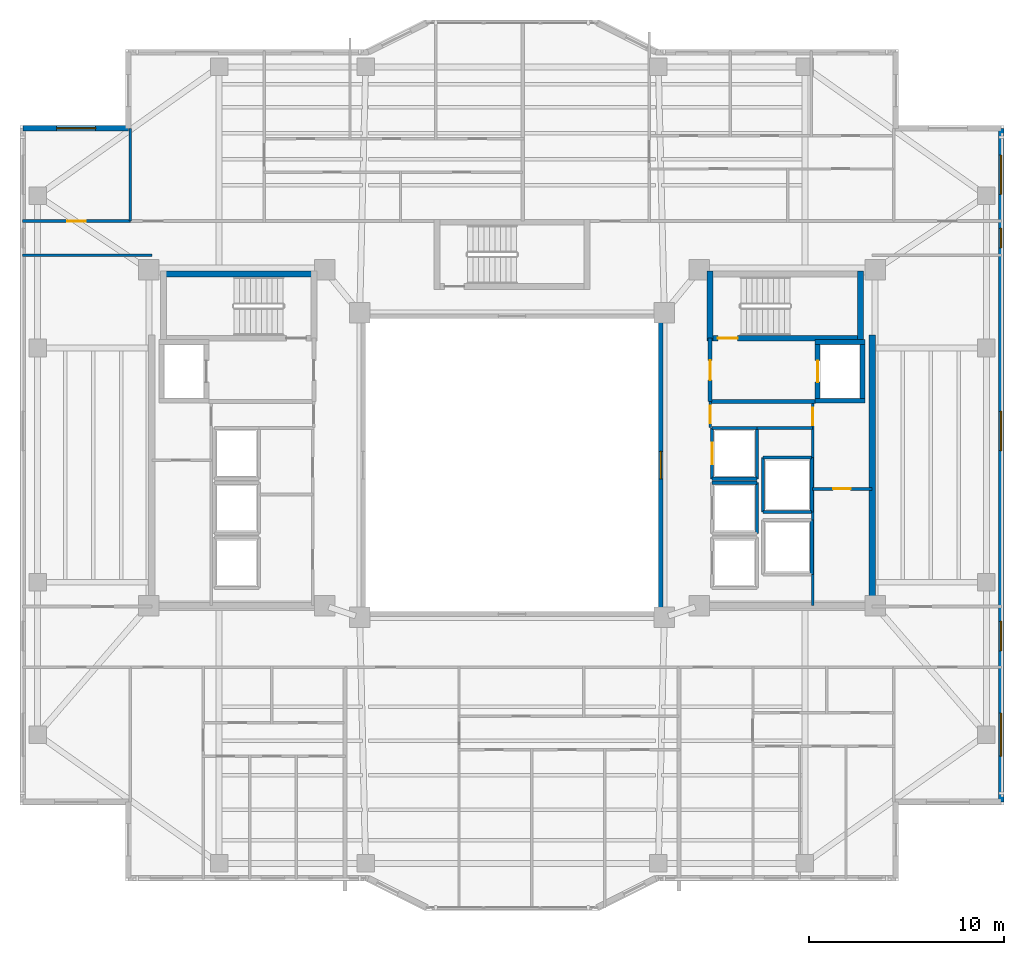
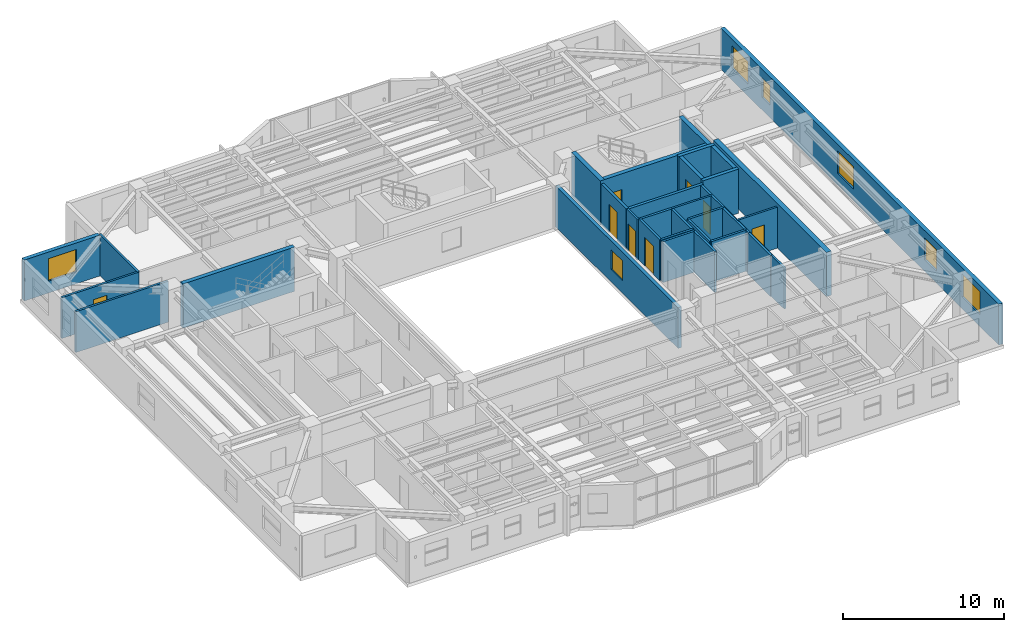
# One storey, part 9 of 16: 32 walls, 8 doors, 7 windows, 15 openings.
"""IFC4 building model written with IfcOpenShell, lengths in metres."""

import ifcopenshell
import ifcopenshell.guid

model = None  # the IFC model being written
_history = None  # IfcOwnerHistory: only IFC2X3 demands one
_inside = {}  # id of a spatial element -> (the spatial element, [elements in it])
_under = {}  # id of a project, library or spatial element -> (it, [spatial elements below it])
_declared = {}  # id of a project -> (the project, [libraries it declares])
_typed = {}  # id of a type object -> (the type object, [elements of that type])
_made_of = {}  # id of a material, layer set ... -> (it, [elements and type objects made of it])


def new_model(schema):
    """Start an empty IFC model of exactly this schema.

    Asked for "IFC4X3", IfcOpenShell would pick the latest addendum, in which some entities
    have other attributes; the version numbers below select the first issue.
    IFC2X3 requires an IfcOwnerHistory on every rooted entity: one is made here for all.
    """
    global model, _history
    if schema == "IFC4X3":
        model = ifcopenshell.file(schema_version=(4, 3, 0, 0))
    else:
        model = ifcopenshell.file(schema=schema)
    _inside.clear()
    _under.clear()
    _declared.clear()
    _typed.clear()
    _made_of.clear()
    _history = None
    if model.schema == "IFC2X3":
        org = make("IfcOrganization", Name="unknown")
        user = make(
            "IfcPersonAndOrganization",
            ThePerson=make("IfcPerson", FamilyName="unknown"),
            TheOrganization=org,
        )
        app = make(
            "IfcApplication",
            ApplicationDeveloper=org,
            Version="unknown",
            ApplicationFullName="unknown",
            ApplicationIdentifier="unknown",
        )
        _history = make(
            "IfcOwnerHistory",
            OwningUser=user,
            OwningApplication=app,
            ChangeAction="ADDED",
            CreationDate=0,
        )
    return model


def make(cls, **values):
    """One entity of the class cls with the attributes given. An attribute that is None is left unset."""
    return model.create_entity(
        cls, **{name: value for name, value in values.items() if value is not None}
    )


def rooted(cls, **values):
    """An entity with a GlobalId (a new one), such as an element, a storey or a relation."""
    return make(cls, GlobalId=ifcopenshell.guid.new(), OwnerHistory=_history, **values)


def si_unit(unit_type, name, prefix=None):
    """IfcSIUnit, for example si_unit("LENGTHUNIT", "METRE", prefix="MILLI")."""
    return make("IfcSIUnit", UnitType=unit_type, Prefix=prefix, Name=name)


def assignment(units):
    """IfcUnitAssignment: the units of a project."""
    return None if units is None else make("IfcUnitAssignment", Units=units)


def point(xyz):
    """IfcCartesianPoint."""
    return None if xyz is None else make("IfcCartesianPoint", Coordinates=xyz)


def direction(xyz):
    """IfcDirection."""
    return None if xyz is None else make("IfcDirection", DirectionRatios=xyz)


def frame(location, z_axis=None, x_axis=None):
    """IfcAxis2Placement3D, a coordinate frame: its origin and axes. An axis left out is left unset."""
    return make(
        "IfcAxis2Placement3D",
        Location=point(location),
        Axis=direction(z_axis),
        RefDirection=direction(x_axis),
    )


def frame_2d(location, x_axis=None):
    """IfcAxis2Placement2D, a coordinate frame in the plane: its origin and x axis."""
    return make(
        "IfcAxis2Placement2D", Location=point(location), RefDirection=direction(x_axis)
    )


def origin():
    """The frame at (0, 0, 0) with its axes left unset."""
    return frame((0.0, 0.0, 0.0))


def place(relative_to, where):
    """IfcLocalPlacement: puts the frame where relative to a parent placement (None: the world)."""
    return make(
        "IfcLocalPlacement", PlacementRelTo=relative_to, RelativePlacement=where
    )


def context(
    kind, dimensions, precision=None, world=None, true_north=None, identifier=None
):
    """IfcGeometricRepresentationContext, for example the 3D "Model" context."""
    return make(
        "IfcGeometricRepresentationContext",
        ContextIdentifier=identifier,
        ContextType=kind,
        CoordinateSpaceDimension=dimensions,
        Precision=precision,
        WorldCoordinateSystem=world,
        TrueNorth=true_north,
    )


def subcontext(parent, identifier, kind, view, scale=None):
    """IfcGeometricRepresentationSubContext, for example "Body" below "Model"."""
    return make(
        "IfcGeometricRepresentationSubContext",
        ContextIdentifier=identifier,
        ContextType=kind,
        ParentContext=parent,
        TargetScale=scale,
        TargetView=view,
    )


def project(units=None, contexts=None):
    """IfcProject with its units and contexts."""
    return rooted(
        "IfcProject",
        Name="project",
        RepresentationContexts=contexts,
        UnitsInContext=assignment(units),
    )


def spatial(cls, under=None, at=None, **own):
    """A site, building, storey or space (cls), placed at a placement, below another one or the project."""
    s = rooted(cls, ObjectPlacement=at, **own)
    if under is not None:
        _under.setdefault(under.id(), (under, []))[1].append(s)
    return s


def profile(cls, at=None, kind="AREA", **sizes):
    """A parametric profile (cls). Its sizes go by their IFC names, for example OverallWidth=200.0."""
    return make(cls, ProfileType=kind, Position=at, **sizes)


def rectangle(**sizes):
    """IfcRectangleProfileDef."""
    return profile("IfcRectangleProfileDef", **sizes)


def extrude(swept, where, along, depth):
    """IfcExtrudedAreaSolid: the profile swept, set in the frame where, extruded along a direction by depth."""
    return make(
        "IfcExtrudedAreaSolid",
        SweptArea=swept,
        Position=where,
        ExtrudedDirection=direction(along),
        Depth=depth,
    )


def shape(context_of_items, identifier, shape_type, items):
    """IfcShapeRepresentation: the items that make up one representation, for example the "Body"."""
    return make(
        "IfcShapeRepresentation",
        ContextOfItems=context_of_items,
        RepresentationIdentifier=identifier,
        RepresentationType=shape_type,
        Items=items,
    )


def material(Name=None, Category=None):
    """IfcMaterial."""
    return make("IfcMaterial", Name=Name, Category=Category)


def layer(
    of_material, thickness, ventilated=None, Name=None, Category=None, Priority=None
):
    """IfcMaterialLayer: one layer of a wall or slab, of a material (None: an air gap)."""
    return make(
        "IfcMaterialLayer",
        Material=of_material,
        LayerThickness=thickness,
        IsVentilated=ventilated,
        Name=Name,
        Category=Category,
        Priority=Priority,
    )


def layer_set(layers, Name=None):
    """IfcMaterialLayerSet."""
    return make("IfcMaterialLayerSet", MaterialLayers=layers, LayerSetName=Name)


def made_of(thing, what):
    """Note that an element or type object is made of a material, layer set ...; save() writes the relation."""
    if what is not None:
        _made_of.setdefault(what.id(), (what, []))[1].append(thing)
    return thing


def type_object(cls, material=None, **own):
    """A type object (cls), such as IfcWallType, which elements share."""
    return made_of(rooted(cls, **own), material)


def element(
    cls,
    number,
    at=None,
    inside=None,
    cuts=None,
    type_object=None,
    material=None,
    context=None,
    identifier="Body",
    shape_type=None,
    held_by="IfcProductDefinitionShape",
    body=None,
    shapes=None,
    **own,
):
    """One element of the class cls, such as IfcWall. Its Tag is "e" and its number.

    at: its placement. inside: the storey or other place that contains it. cuts: it is an
    opening in that element (IfcRelVoidsElement). A single representation is given by context,
    identifier, shape_type and body (its items); several are given by shapes. held_by: the class
    of the entity that holds the representations. save() writes the other relations.
    """
    e = rooted(cls, Tag="e%d" % number, ObjectPlacement=at, **own)
    if body is not None:
        shapes = [shape(context, identifier, shape_type, body)]
    if shapes is not None:
        e.Representation = make(held_by, Representations=shapes)
    if inside is not None:
        _inside.setdefault(inside.id(), (inside, []))[1].append(e)
    if cuts is not None:
        rooted(
            "IfcRelVoidsElement", RelatingBuildingElement=cuts, RelatedOpeningElement=e
        )
    if type_object is not None:
        _typed.setdefault(type_object.id(), (type_object, []))[1].append(e)
    return made_of(e, material)


def fill(opening, filler):
    """IfcRelFillsElement: the door or window that sits in an opening."""
    return rooted(
        "IfcRelFillsElement",
        RelatingOpeningElement=opening,
        RelatedBuildingElement=filler,
    )


def aggregate(whole, parts):
    """IfcRelAggregates: a whole, such as a stair, and the parts it consists of."""
    return rooted("IfcRelAggregates", RelatingObject=whole, RelatedObjects=parts)


def save(model, path):
    """Write the relations noted so far, then the file.

    IfcRelAggregates (storeys below a building ...), IfcRelContainedInSpatialStructure (elements
    in a storey), IfcRelDefinesByType, IfcRelAssociatesMaterial and IfcRelDeclares: one each for
    every whole, place, type object, material and project.
    """
    for whole, parts in _under.values():
        aggregate(whole, parts)
    for where, things in _inside.values():
        rooted(
            "IfcRelContainedInSpatialStructure",
            RelatedElements=things,
            RelatingStructure=where,
        )
    for kind, things in _typed.values():
        rooted("IfcRelDefinesByType", RelatedObjects=things, RelatingType=kind)
    for what, things in _made_of.values():
        rooted("IfcRelAssociatesMaterial", RelatedObjects=things, RelatingMaterial=what)
    for by, libraries in _declared.values():
        rooted("IfcRelDeclares", RelatingContext=by, RelatedDefinitions=libraries)
    model.write(path)


model = new_model("IFC4")

# Units and contexts
model_context = context("Model", 3, precision=1e-05, world=origin(), true_north=direction((0.0, 1.0)))
body_context = subcontext(model_context, "Body", "Model", "MODEL_VIEW")
ifc_project = project(units=[si_unit("LENGTHUNIT", "METRE"), si_unit("AREAUNIT", "SQUARE_METRE"), si_unit("VOLUMEUNIT", "CUBIC_METRE"), si_unit("PLANEANGLEUNIT", "RADIAN"), si_unit("MASSUNIT", "GRAM", prefix="KILO")], contexts=[model_context])

# Site, building, storey
site_placement = place(None, origin())
site = spatial("IfcSite", under=ifc_project, at=site_placement, CompositionType="ELEMENT")
building_placement = place(site_placement, origin())
building = spatial("IfcBuilding", under=site, at=building_placement, Name="Tarnavaz Court Tower", CompositionType="ELEMENT")
storey_placement = place(building_placement, frame((0.0, 0.0, 146.0)))
storey = spatial("IfcBuildingStorey", under=building, at=storey_placement, Name="L39", CompositionType="ELEMENT", Elevation=146.0)

# Wall, opening, door
ifc_material_1 = material(Name="Concrete C50/60", Category="concrete")
ifc_layer_1 = layer(ifc_material_1, 0.25)
ifc_layer_set_1 = layer_set([ifc_layer_1], Name="Concrete C50/60")
wall_type_1 = type_object("IfcWallType", Name="WL-CORE-250-C50", PredefinedType="SHEAR", material=ifc_layer_set_1)
wall_1_placement = place(storey_placement, frame((15.64990234375, 3.175048828125, 0.0), z_axis=(0.0, 0.0, 1.0), x_axis=(0.0, 1.0, 0.0)))
wall_1 = element("IfcWall", 1, at=wall_1_placement, inside=storey, type_object=wall_type_1, Name="L39 Lift FL-E1 Shaft Wall 033", PredefinedType="SHEAR", context=body_context, shape_type="SweptSolid", body=[
    extrude(rectangle(XDim=3.25, YDim=0.25, at=frame_2d((1.625, 0.0))), origin(), (0.0, 0.0, 1.0), 3.35009765625),
])
opening_1_placement = place(wall_1_placement, frame((1.074951171875, 0.0, 0.0)))
opening_1 = element("IfcOpeningElement", 2, at=opening_1_placement, cuts=wall_1, Name="Opening LD1", PredefinedType="OPENING", context=body_context, shape_type="SweptSolid", body=[
    extrude(rectangle(XDim=1.10009765625, YDim=2.14990234375, at=frame_2d((0.550048828125, 1.074951171875))), frame((0.0, 0.135009765625, 0.0), z_axis=(0.0, -1.0, 0.0), x_axis=(1.0, 0.0, 0.0)), (0.0, 0.0, 1.0), 0.27001953125),
])
ifc_material_2 = material(Name="Stainless Steel", Category="steel")
door_type_1 = type_object("IfcDoorType", Name="DR-LD-1100", OperationType="NOTDEFINED", PredefinedType="DOOR", material=ifc_material_2)
door_1_placement = place(opening_1_placement, origin())
door_1 = element("IfcDoor", 3, at=door_1_placement, inside=storey, type_object=door_type_1, Name="L39 Lift Landing Door LD-FL-E1", OperationType="SLIDING_TO_LEFT", OverallHeight=2.14990234375, OverallWidth=1.10009765625, PredefinedType="DOOR", context=body_context, shape_type="SweptSolid", body=[
    extrude(rectangle(XDim=1.10009765625, YDim=2.14990234375, at=frame_2d((0.550048828125, 1.074951171875))), frame((0.0, 0.02490234375, 0.0), z_axis=(0.0, -1.0, 0.0), x_axis=(1.0, 0.0, 0.0)), (0.0, 0.0, 1.0), 0.050048828125),
])
fill(opening_1, door_1)

# Walls
wall_2_placement = place(storey_placement, frame((17.949951171875, 3.175048828125, 0.0), z_axis=(0.0, 0.0, 1.0), x_axis=(0.0, 1.0, 0.0)))
element("IfcWall", 4, at=wall_2_placement, inside=storey, type_object=wall_type_1, Name="L39 Lift FL-E1 Shaft Wall 034", PredefinedType="SHEAR", context=body_context, shape_type="SweptSolid", body=[
    extrude(rectangle(XDim=3.25, YDim=0.25, at=frame_2d((1.625, 0.0))), origin(), (0.0, 0.0, 1.0), 3.35009765625),
])
for number, where, z_axis, x_axis, name in (
    (5, (15.52490234375, 3.300048828125, 0.0), (0.0, 0.0, 1.0), (1.0, 0.0, 0.0), "L39 Lift FL-E1 Shaft Wall 035"),
    (6, (15.52490234375, 6.300048828125, 0.0), (0.0, 0.0, 1.0), (1.0, 0.0, 0.0), "L39 Lift FL-E1 Shaft Wall 036"),
):
    element("IfcWall", number, at=place(storey_placement, frame(where, z_axis=z_axis, x_axis=x_axis)), inside=storey, type_object=wall_type_1, Name=name, PredefinedType="SHEAR", context=body_context, shape_type="SweptSolid", body=[
        extrude(rectangle(XDim=2.550048828125, YDim=0.25, at=frame_2d((1.27490234375, 0.0))), origin(), (0.0, 0.0, 1.0), 3.35009765625),
    ])
ifc_layer_2 = layer(ifc_material_1, 0.300048828125)
ifc_layer_set_2 = layer_set([ifc_layer_2], Name="Concrete C50/60")
wall_type_2 = type_object("IfcWallType", Name="WL-CORE-300-C50", PredefinedType="SHEAR", material=ifc_layer_set_2)
wall_3_placement = place(storey_placement, frame((-18.0, 9.7900390625, 0.0), z_axis=(0.0, 0.0, 1.0), x_axis=(1.0, 0.0, 0.0)))
element("IfcWall", 7, at=wall_3_placement, inside=storey, type_object=wall_type_2, Name="L39 West Stair Core Wall 001", PredefinedType="SHEAR", context=body_context, shape_type="SweptSolid", body=[
    extrude(rectangle(XDim=8.0, YDim=0.300048828125, at=frame_2d((4.0, 0.0))), origin(), (0.0, 0.0, 1.0), 3.35009765625),
])

# Wall, opening, door
wall_4_placement = place(storey_placement, frame((10.0, 6.5, 0.0), z_axis=(0.0, 0.0, 1.0), x_axis=(1.0, 0.0, 0.0)))
wall_4 = element("IfcWall", 8, at=wall_4_placement, inside=storey, type_object=wall_type_2, Name="L39 East Stair Core Wall 006", PredefinedType="SHEAR", context=body_context, shape_type="SweptSolid", body=[
    extrude(rectangle(XDim=8.0, YDim=0.300048828125, at=frame_2d((4.0, 0.0))), origin(), (0.0, 0.0, 1.0), 3.35009765625),
])
opening_2_placement = place(wall_4_placement, frame((0.550048828125, 0.0, 0.0)))
opening_2 = element("IfcOpeningElement", 9, at=opening_2_placement, cuts=wall_4, Name="Opening D01", PredefinedType="OPENING", context=body_context, shape_type="SweptSolid", body=[
    extrude(rectangle(XDim=1.0, YDim=2.14990234375, at=frame_2d((0.5, 1.074951171875))), frame((0.0, 0.159912109375, 0.0), z_axis=(0.0, -1.0, 0.0), x_axis=(1.0, 0.0, 0.0)), (0.0, 0.0, 1.0), 0.320068359375),
])
ifc_material_3 = material(Name="Fire-Rated Hardwood Timber Core", Category="wood")
door_type_2 = type_object("IfcDoorType", Name="DR-FD90-1000", OperationType="NOTDEFINED", PredefinedType="DOOR", material=ifc_material_3)
door_2_placement = place(opening_2_placement, origin())
door_2 = element("IfcDoor", 10, at=door_2_placement, inside=storey, type_object=door_type_2, Name="L39 Stair ST-E1 Exit Door", OperationType="SINGLE_SWING_RIGHT", OverallHeight=2.14990234375, OverallWidth=1.0, PredefinedType="DOOR", context=body_context, shape_type="SweptSolid", body=[
    extrude(rectangle(XDim=1.0, YDim=2.14990234375, at=frame_2d((0.5, 1.074951171875))), frame((0.0, 0.02490234375, 0.0), z_axis=(0.0, -1.0, 0.0), x_axis=(1.0, 0.0, 0.0)), (0.0, 0.0, 1.0), 0.050048828125),
])
fill(opening_2, door_2)

# Walls
for number, where, z_axis, x_axis, name in (
    (11, (10.14990234375, 6.35009765625, 0.0), (0.0, 0.0, 1.0), (0.0, 1.0, 0.0), "L39 East Stair Core Wall 007"),
    (12, (17.85009765625, 6.35009765625, 0.0), (0.0, 0.0, 1.0), (0.0, 1.0, 0.0), "L39 East Stair Core Wall 008"),
):
    element("IfcWall", number, at=place(storey_placement, frame(where, z_axis=z_axis, x_axis=x_axis)), inside=storey, type_object=wall_type_2, Name=name, PredefinedType="SHEAR", context=body_context, shape_type="SweptSolid", body=[
        extrude(rectangle(XDim=3.58984375, YDim=0.300048828125, at=frame_2d((1.794921875, 0.0))), origin(), (0.0, 0.0, 1.0), 3.35009765625),
    ])
ifc_layer_3 = layer(ifc_material_1, 0.35009765625)
ifc_layer_set_3 = layer_set([ifc_layer_3], Name="Concrete C50/60")
wall_type_3 = type_object("IfcWallType", Name="WL-CORE-350-C50", PredefinedType="SHEAR", material=ifc_layer_set_3)
wall_5_placement = place(storey_placement, frame((18.449951171875, -7.375, 0.0), z_axis=(0.0, 0.0, 1.0), x_axis=(0.0, 1.0, 0.0)))
element("IfcWall", 13, at=wall_5_placement, inside=storey, type_object=wall_type_3, Name="L39 East Core Shear Wall 059", PredefinedType="SHEAR", context=body_context, shape_type="SweptSolid", body=[
    extrude(rectangle(XDim=14.050048828125, YDim=0.35009765625, at=frame_2d((7.02490234375, 0.0))), origin(), (0.0, 0.0, 1.0), 3.35009765625),
])

# Wall, opening, window
ifc_material_4 = material(Name="Precast Concrete C40/50", Category="concrete")
ifc_layer_4 = layer(ifc_material_4, 0.280029296875)
ifc_layer_set_4 = layer_set([ifc_layer_4], Name="Precast Concrete C40/50")
wall_type_4 = type_object("IfcWallType", Name="WL-EXT-280", PredefinedType="SOLIDWALL", material=ifc_layer_set_4)
wall_6_placement = place(storey_placement, frame((-25.050048828125, 17.25, 0.0), z_axis=(0.0, 0.0, 1.0), x_axis=(1.0, 0.0, 0.0)))
wall_6 = element("IfcWall", 14, at=wall_6_placement, inside=storey, type_object=wall_type_4, Name="L39 Exterior Terracotta Facade Wall 03", PredefinedType="SOLIDWALL", context=body_context, shape_type="SweptSolid", body=[
    extrude(rectangle(XDim=5.400146484375, YDim=0.280029296875, at=frame_2d((2.7001953125, 0.0))), origin(), (0.0, 0.0, 1.0), 3.10009765625),
])
opening_3_placement = place(wall_6_placement, frame((1.72509765625, 0.0, 0.89990234375)))
opening_3 = element("IfcOpeningElement", 15, at=opening_3_placement, cuts=wall_6, Name="Opening W08", PredefinedType="OPENING", context=body_context, shape_type="SweptSolid", body=[
    extrude(rectangle(XDim=2.0, YDim=1.699951171875, at=frame_2d((1.0, 0.85009765625))), frame((0.0, 0.14990234375, 0.0), z_axis=(0.0, -1.0, 0.0), x_axis=(1.0, 0.0, 0.0)), (0.0, 0.0, 1.0), 0.300048828125),
])
ifc_material_5 = material(Name="Double-Glazed Solar Low-E Glass", Category="glass")
window_type_1 = type_object("IfcWindowType", Name="WN-APT-2000", PartitioningType="DOUBLE_PANEL_VERTICAL", PredefinedType="WINDOW", material=ifc_material_5)
window_1_placement = place(opening_3_placement, origin())
window_1 = element("IfcWindow", 16, at=window_1_placement, inside=storey, type_object=window_type_1, Name="L39 North-West Corner Sunroom Study Window", OverallHeight=1.699951171875, OverallWidth=2.0, PartitioningType="SINGLE_PANEL", PredefinedType="WINDOW", context=body_context, shape_type="SweptSolid", body=[
    extrude(rectangle(XDim=2.0, YDim=1.699951171875, at=frame_2d((1.0, 0.85009765625))), frame((0.0, 0.030029296875, 0.0), z_axis=(0.0, -1.0, 0.0), x_axis=(1.0, 0.0, 0.0)), (0.0, 0.0, 1.0), 0.06005859375),
])
fill(opening_3, window_1)

# Wall, openings, windows
wall_7_placement = place(storey_placement, frame((25.050048828125, 17.25, 0.0), z_axis=(0.0, 0.0, 1.0), x_axis=(0.0, -1.0, 0.0)))
wall_7 = element("IfcWall", 17, at=wall_7_placement, inside=storey, type_object=wall_type_4, Name="L39 Exterior Terracotta Facade Wall 12", PredefinedType="SOLIDWALL", context=body_context, shape_type="SweptSolid", body=[
    extrude(rectangle(XDim=34.5, YDim=0.280029296875, at=frame_2d((17.25, 0.0))), origin(), (0.0, 0.0, 1.0), 3.10009765625),
])
opening_4_placement = place(wall_7_placement, frame((1.375, 0.0, 0.89990234375)))
opening_4 = element("IfcOpeningElement", 18, at=opening_4_placement, cuts=wall_7, Name="Opening W08", PredefinedType="OPENING", context=body_context, shape_type="SweptSolid", body=[
    extrude(rectangle(XDim=2.0, YDim=1.699951171875, at=frame_2d((1.0, 0.85009765625))), frame((0.0, 0.14990234375, 0.0), z_axis=(0.0, -1.0, 0.0), x_axis=(1.0, 0.0, 0.0)), (0.0, 0.0, 1.0), 0.300048828125),
])
opening_5_placement = place(wall_7_placement, frame((5.125, 0.0, 0.949951171875)))
opening_5 = element("IfcOpeningElement", 19, at=opening_5_placement, cuts=wall_7, Name="Opening W14", PredefinedType="OPENING", context=body_context, shape_type="SweptSolid", body=[
    extrude(rectangle(XDim=1.0, YDim=1.5, at=frame_2d((0.5, 0.75))), frame((0.0, 0.14990234375, 0.0), z_axis=(0.0, -1.0, 0.0), x_axis=(1.0, 0.0, 0.0)), (0.0, 0.0, 1.0), 0.300048828125),
])
opening_6_placement = place(wall_7_placement, frame((14.5, 0.0, 0.89990234375)))
opening_6 = element("IfcOpeningElement", 20, at=opening_6_placement, cuts=wall_7, Name="Opening W08", PredefinedType="OPENING", context=body_context, shape_type="SweptSolid", body=[
    extrude(rectangle(XDim=2.0, YDim=1.699951171875, at=frame_2d((1.0, 0.85009765625))), frame((0.0, 0.14990234375, 0.0), z_axis=(0.0, -1.0, 0.0), x_axis=(1.0, 0.0, 0.0)), (0.0, 0.0, 1.0), 0.300048828125),
])
opening_7_placement = place(wall_7_placement, frame((25.257568359375, 0.0, 0.89990234375)))
opening_7 = element("IfcOpeningElement", 21, at=opening_7_placement, cuts=wall_7, Name="Opening W03", PredefinedType="OPENING", context=body_context, shape_type="SweptSolid", body=[
    extrude(rectangle(XDim=1.5, YDim=1.64990234375, at=frame_2d((0.75, 0.824951171875))), frame((0.0, 0.14990234375, 0.0), z_axis=(0.0, -1.0, 0.0), x_axis=(1.0, 0.0, 0.0)), (0.0, 0.0, 1.0), 0.300048828125),
])
opening_8_placement = place(wall_7_placement, frame((29.949951171875, 0.0, 0.89990234375)))
opening_8 = element("IfcOpeningElement", 22, at=opening_8_placement, cuts=wall_7, Name="Opening W07", PredefinedType="OPENING", context=body_context, shape_type="SweptSolid", body=[
    extrude(rectangle(XDim=2.199951171875, YDim=1.75, at=frame_2d((1.10009765625, 0.875))), frame((0.0, 0.14990234375, 0.0), z_axis=(0.0, -1.0, 0.0), x_axis=(1.0, 0.0, 0.0)), (0.0, 0.0, 1.0), 0.300048828125),
])
window_type_2 = type_object("IfcWindowType", Name="WN-APT-1000", PartitioningType="SINGLE_PANEL", PredefinedType="WINDOW", material=ifc_material_5)
window_2_placement = place(opening_5_placement, origin())
window_2 = element("IfcWindow", 23, at=window_2_placement, inside=storey, type_object=window_type_2, Name="L39 North-East Corner Corridor Window", OverallHeight=1.5, OverallWidth=1.0, PartitioningType="SINGLE_PANEL", PredefinedType="WINDOW", context=body_context, shape_type="SweptSolid", body=[
    extrude(rectangle(XDim=1.0, YDim=1.5, at=frame_2d((0.5, 0.75))), frame((0.0, 0.030029296875, 0.0), z_axis=(0.0, -1.0, 0.0), x_axis=(1.0, 0.0, 0.0)), (0.0, 0.0, 1.0), 0.06005859375),
])
fill(opening_5, window_2)
window_type_3 = type_object("IfcWindowType", Name="WN-APT-1500", PartitioningType="DOUBLE_PANEL_VERTICAL", PredefinedType="WINDOW", material=ifc_material_5)
window_3_placement = place(opening_7_placement, origin())
window_3 = element("IfcWindow", 24, at=window_3_placement, inside=storey, type_object=window_type_3, Name="L39 South-East Corner Corridor Window", OverallHeight=1.64990234375, OverallWidth=1.5, PartitioningType="SINGLE_PANEL", PredefinedType="WINDOW", context=body_context, shape_type="SweptSolid", body=[
    extrude(rectangle(XDim=1.5, YDim=1.64990234375, at=frame_2d((0.75, 0.824951171875))), frame((0.0, 0.030029296875, 0.0), z_axis=(0.0, -1.0, 0.0), x_axis=(1.0, 0.0, 0.0)), (0.0, 0.0, 1.0), 0.06005859375),
])
fill(opening_7, window_3)
window_4_placement = place(opening_4_placement, origin())
window_4 = element("IfcWindow", 25, at=window_4_placement, inside=storey, type_object=window_type_1, Name="L39 North-East Corner Sunroom Study Window", OverallHeight=1.699951171875, OverallWidth=2.0, PartitioningType="SINGLE_PANEL", PredefinedType="WINDOW", context=body_context, shape_type="SweptSolid", body=[
    extrude(rectangle(XDim=2.0, YDim=1.699951171875, at=frame_2d((1.0, 0.85009765625))), frame((0.0, 0.030029296875, 0.0), z_axis=(0.0, -1.0, 0.0), x_axis=(1.0, 0.0, 0.0)), (0.0, 0.0, 1.0), 0.06005859375),
])
fill(opening_4, window_4)
window_5_placement = place(opening_6_placement, origin())
window_5 = element("IfcWindow", 26, at=window_5_placement, inside=storey, type_object=window_type_1, Name="L39 East Wing Resident Fitness Lounge Window", OverallHeight=1.699951171875, OverallWidth=2.0, PartitioningType="SINGLE_PANEL", PredefinedType="WINDOW", context=body_context, shape_type="SweptSolid", body=[
    extrude(rectangle(XDim=2.0, YDim=1.699951171875, at=frame_2d((1.0, 0.85009765625))), frame((0.0, 0.030029296875, 0.0), z_axis=(0.0, -1.0, 0.0), x_axis=(1.0, 0.0, 0.0)), (0.0, 0.0, 1.0), 0.06005859375),
])
fill(opening_6, window_5)
window_type_4 = type_object("IfcWindowType", Name="WN-APT-2200", PartitioningType="TRIPLE_PANEL_VERTICAL", PredefinedType="WINDOW", material=ifc_material_5)
window_6_placement = place(opening_8_placement, origin())
window_6 = element("IfcWindow", 27, at=window_6_placement, inside=storey, type_object=window_type_4, Name="L39 South-East Corner Reading Room Window", OverallHeight=1.75, OverallWidth=2.199951171875, PartitioningType="SINGLE_PANEL", PredefinedType="WINDOW", context=body_context, shape_type="SweptSolid", body=[
    extrude(rectangle(XDim=2.199951171875, YDim=1.75, at=frame_2d((1.10009765625, 0.875))), frame((0.0, 0.030029296875, 0.0), z_axis=(0.0, -1.0, 0.0), x_axis=(1.0, 0.0, 0.0)), (0.0, 0.0, 1.0), 0.06005859375),
])
fill(opening_8, window_6)

# Wall
ifc_material_6 = material(Name="Gypsum Fire-Board on Acoustic Metal Stud", Category="masonry")
ifc_layer_5 = layer(ifc_material_6, 0.14990234375)
ifc_layer_set_5 = layer_set([ifc_layer_5], Name="Gypsum Fire-Board on Acoustic Metal Stud")
wall_type_5 = type_object("IfcWallType", Name="WL-FIRE-150", PredefinedType="PARTITIONING", material=ifc_layer_set_5)
wall_8_placement = place(storey_placement, frame((-25.080078125, 10.75, 0.0), z_axis=(0.0, 0.0, 1.0), x_axis=(1.0, 0.0, 0.0)))
element("IfcWall", 28, at=wall_8_placement, inside=storey, type_object=wall_type_5, Name="L39 Interior Partition 115", PredefinedType="PARTITIONING", context=body_context, shape_type="SweptSolid", body=[
    extrude(rectangle(XDim=6.630126953125, YDim=0.14990234375, at=frame_2d((3.31494140625, 0.0))), origin(), (0.0, 0.0, 1.0), 3.10009765625),
])

# Wall, opening, door
wall_9_placement = place(storey_placement, frame((-25.080078125, 12.5, 0.0), z_axis=(0.0, 0.0, 1.0), x_axis=(1.0, 0.0, 0.0)))
wall_9 = element("IfcWall", 29, at=wall_9_placement, inside=storey, type_object=wall_type_5, Name="L39 Interior Partition 122", PredefinedType="PARTITIONING", context=body_context, shape_type="SweptSolid", body=[
    extrude(rectangle(XDim=5.530029296875, YDim=0.14990234375, at=frame_2d((2.76513671875, 0.0))), origin(), (0.0, 0.0, 1.0), 3.10009765625),
])
opening_9_placement = place(wall_9_placement, frame((2.2900390625, 0.0, 0.0)))
opening_9 = element("IfcOpeningElement", 30, at=opening_9_placement, cuts=wall_9, Name="Opening D13", PredefinedType="OPENING", context=body_context, shape_type="SweptSolid", body=[
    extrude(rectangle(XDim=0.949951171875, YDim=2.14990234375, at=frame_2d((0.47509765625, 1.074951171875))), frame((0.0, 0.0849609375, 0.0), z_axis=(0.0, -1.0, 0.0), x_axis=(1.0, 0.0, 0.0)), (0.0, 0.0, 1.0), 0.169921875),
])
ifc_material_7 = material(Name="Engineered Oak Timber", Category="wood")
door_type_3 = type_object("IfcDoorType", Name="DR-INT-950", OperationType="NOTDEFINED", PredefinedType="DOOR", material=ifc_material_7)
door_3_placement = place(opening_9_placement, origin())
door_3 = element("IfcDoor", 31, at=door_3_placement, inside=storey, type_object=door_type_3, Name="L39 NW Sunroom Door", OperationType="SINGLE_SWING_RIGHT", OverallHeight=2.14990234375, OverallWidth=0.949951171875, PredefinedType="DOOR", context=body_context, shape_type="SweptSolid", body=[
    extrude(rectangle(XDim=0.949951171875, YDim=2.14990234375, at=frame_2d((0.47509765625, 1.074951171875))), frame((0.0, 0.02490234375, 0.0), z_axis=(0.0, -1.0, 0.0), x_axis=(1.0, 0.0, 0.0)), (0.0, 0.0, 1.0), 0.050048828125),
])
fill(opening_9, door_3)

# Wall
ifc_material_8 = material(Name="Autoclaved Aerated Concrete Blockwork", Category="masonry")
ifc_layer_6 = layer(ifc_material_8, 0.199951171875)
ifc_layer_set_6 = layer_set([ifc_layer_6], Name="Autoclaved Aerated Concrete Blockwork")
wall_type_6 = type_object("IfcWallType", Name="WL-FIRE-200", PredefinedType="SOLIDWALL", material=ifc_layer_set_6)
wall_10_placement = place(storey_placement, frame((10.14990234375, 3.25, 0.0), z_axis=(0.0, 0.0, 1.0), x_axis=(1.0, 0.0, 0.0)))
element("IfcWall", 32, at=wall_10_placement, inside=storey, type_object=wall_type_6, Name="L39 East Firefighting Lobby Wall 015", PredefinedType="SOLIDWALL", context=body_context, shape_type="SweptSolid", body=[
    extrude(rectangle(XDim=5.400146484375, YDim=0.199951171875, at=frame_2d((2.7001953125, 0.0))), origin(), (0.0, 0.0, 1.0), 3.10009765625),
])

# Wall, opening, door
wall_11_placement = place(storey_placement, frame((10.14990234375, 3.25, 0.0), z_axis=(0.0, 0.0, 1.0), x_axis=(0.0, 1.0, 0.0)))
wall_11 = element("IfcWall", 33, at=wall_11_placement, inside=storey, type_object=wall_type_6, Name="L39 East Firefighting Lobby Wall 016", PredefinedType="SOLIDWALL", context=body_context, shape_type="SweptSolid", body=[
    extrude(rectangle(XDim=3.25, YDim=0.199951171875, at=frame_2d((1.625, 0.0))), origin(), (0.0, 0.0, 1.0), 3.10009765625),
])
opening_10_placement = place(wall_11_placement, frame((1.10009765625, 0.0, 0.0)))
opening_10 = element("IfcOpeningElement", 34, at=opening_10_placement, cuts=wall_11, Name="Opening D05", PredefinedType="OPENING", context=body_context, shape_type="SweptSolid", body=[
    extrude(rectangle(XDim=1.02001953125, YDim=2.14990234375, at=frame_2d((0.510009765625, 1.074951171875))), frame((0.0, 0.10986328125, 0.0), z_axis=(0.0, -1.0, 0.0), x_axis=(1.0, 0.0, 0.0)), (0.0, 0.0, 1.0), 0.219970703125),
])
door_type_4 = type_object("IfcDoorType", Name="DR-FD60-1000", OperationType="NOTDEFINED", PredefinedType="DOOR", material=ifc_material_3)
door_4_placement = place(opening_10_placement, origin())
door_4 = element("IfcDoor", 35, at=door_4_placement, inside=storey, type_object=door_type_4, Name="L39 East Firefighting Lobby Door", OperationType="SINGLE_SWING_LEFT", OverallHeight=2.14990234375, OverallWidth=1.02001953125, PredefinedType="DOOR", context=body_context, shape_type="SweptSolid", body=[
    extrude(rectangle(XDim=1.02001953125, YDim=2.14990234375, at=frame_2d((0.510009765625, 1.074951171875))), frame((0.0, 0.02490234375, 0.0), z_axis=(0.0, -1.0, 0.0), x_axis=(1.0, 0.0, 0.0)), (0.0, 0.0, 1.0), 0.050048828125),
])
fill(opening_10, door_4)

# Wall
ifc_material_9 = material(Name="Gypsum Plasterboard Acoustic Partition", Category="masonry")
ifc_layer_7 = layer(ifc_material_9, 0.139892578125)
ifc_layer_set_7 = layer_set([ifc_layer_7], Name="Gypsum Plasterboard Acoustic Partition")
wall_type_7 = type_object("IfcWallType", Name="WL-PART-150", PredefinedType="PARTITIONING", material=ifc_layer_set_7)
wall_12_placement = place(storey_placement, frame((12.550048828125, 1.89990234375, 0.0), z_axis=(0.0, 0.0, 1.0), x_axis=(1.0, 0.0, 0.0)))
element("IfcWall", 36, at=wall_12_placement, inside=storey, type_object=wall_type_7, Name="L39 Interior Partition 067", PredefinedType="PARTITIONING", context=body_context, shape_type="SweptSolid", body=[
    extrude(rectangle(XDim=2.849853515625, YDim=0.139892578125, at=frame_2d((1.4248046875, 0.0))), origin(), (0.0, 0.0, 1.0), 3.10009765625),
])

# Wall, opening, door
wall_13_placement = place(storey_placement, frame((10.14990234375, 1.919921875, 0.0), z_axis=(0.0, 0.0, 1.0), x_axis=(0.0, 1.0, 0.0)))
wall_13 = element("IfcWall", 37, at=wall_13_placement, inside=storey, type_object=wall_type_7, Name="L39 Interior Partition 068", PredefinedType="PARTITIONING", context=body_context, shape_type="SweptSolid", body=[
    extrude(rectangle(XDim=1.330078125, YDim=0.139892578125, at=frame_2d((0.6650390625, 0.0))), origin(), (0.0, 0.0, 1.0), 3.10009765625),
])
opening_11_placement = place(wall_13_placement, frame((0.219970703125, 0.0, 0.0)))
opening_11 = element("IfcOpeningElement", 38, at=opening_11_placement, cuts=wall_13, Name="Opening D09", PredefinedType="OPENING", context=body_context, shape_type="SweptSolid", body=[
    extrude(rectangle(XDim=0.89990234375, YDim=2.080078125, at=frame_2d((0.449951171875, 1.0400390625))), frame((0.0, 0.079833984375, 0.0), z_axis=(0.0, -1.0, 0.0), x_axis=(1.0, 0.0, 0.0)), (0.0, 0.0, 1.0), 0.159912109375),
])
door_type_5 = type_object("IfcDoorType", Name="DR-FD30-900", OperationType="NOTDEFINED", PredefinedType="DOOR", material=ifc_material_3)
door_5_placement = place(opening_11_placement, origin())
door_5 = element("IfcDoor", 39, at=door_5_placement, inside=storey, type_object=door_type_5, Name="L39 East Core Service Lobby Door", OperationType="SINGLE_SWING_RIGHT", OverallHeight=2.080078125, OverallWidth=0.89990234375, PredefinedType="DOOR", context=body_context, shape_type="SweptSolid", body=[
    extrude(rectangle(XDim=0.89990234375, YDim=2.080078125, at=frame_2d((0.449951171875, 1.0400390625))), frame((0.0, 0.02490234375, 0.0), z_axis=(0.0, -1.0, 0.0), x_axis=(1.0, 0.0, 0.0)), (0.0, 0.0, 1.0), 0.050048828125),
])
fill(opening_11, door_5)

wall_14_placement = place(storey_placement, frame((15.39990234375, -7.199951171875, 0.0), z_axis=(0.0, 0.0, 1.0), x_axis=(0.0, 1.0, 0.0)))
wall_14 = element("IfcWall", 40, at=wall_14_placement, inside=storey, type_object=wall_type_7, Name="L39 Interior Partition 069", PredefinedType="PARTITIONING", context=body_context, shape_type="SweptSolid", body=[
    extrude(rectangle(XDim=10.449951171875, YDim=0.139892578125, at=frame_2d((5.22509765625, 0.0))), origin(), (0.0, 0.0, 1.0), 3.10009765625),
])
opening_12_placement = place(wall_14_placement, frame((9.25, 0.0, 0.0)))
opening_12 = element("IfcOpeningElement", 41, at=opening_12_placement, cuts=wall_14, Name="Opening D09", PredefinedType="OPENING", context=body_context, shape_type="SweptSolid", body=[
    extrude(rectangle(XDim=0.89990234375, YDim=2.080078125, at=frame_2d((0.449951171875, 1.0400390625))), frame((0.0, 0.079833984375, 0.0), z_axis=(0.0, -1.0, 0.0), x_axis=(1.0, 0.0, 0.0)), (0.0, 0.0, 1.0), 0.159912109375),
])
door_6_placement = place(opening_12_placement, origin())
door_6 = element("IfcDoor", 42, at=door_6_placement, inside=storey, type_object=door_type_5, Name="L39 East Wet Riser Door", OperationType="SINGLE_SWING_LEFT", OverallHeight=2.080078125, OverallWidth=0.89990234375, PredefinedType="DOOR", context=body_context, shape_type="SweptSolid", body=[
    extrude(rectangle(XDim=0.89990234375, YDim=2.080078125, at=frame_2d((0.449951171875, 1.0400390625))), frame((0.0, 0.02490234375, 0.0), z_axis=(0.0, -1.0, 0.0), x_axis=(1.0, 0.0, 0.0)), (0.0, 0.0, 1.0), 0.050048828125),
])
fill(opening_12, door_6)

wall_15_placement = place(storey_placement, frame((15.39990234375, -1.219970703125, 0.0), z_axis=(0.0, 0.0, 1.0), x_axis=(1.0, 0.0, 0.0)))
wall_15 = element("IfcWall", 43, at=wall_15_placement, inside=storey, type_object=wall_type_7, Name="L39 Interior Partition 070", PredefinedType="PARTITIONING", context=body_context, shape_type="SweptSolid", body=[
    extrude(rectangle(XDim=3.050048828125, YDim=0.139892578125, at=frame_2d((1.52490234375, 0.0))), origin(), (0.0, 0.0, 1.0), 3.10009765625),
])
opening_13_placement = place(wall_15_placement, frame((1.050048828125, 0.0, 0.0)))
opening_13 = element("IfcOpeningElement", 44, at=opening_13_placement, cuts=wall_15, Name="Opening D09", PredefinedType="OPENING", context=body_context, shape_type="SweptSolid", body=[
    extrude(rectangle(XDim=0.89990234375, YDim=2.080078125, at=frame_2d((0.449951171875, 1.0400390625))), frame((0.0, 0.079833984375, 0.0), z_axis=(0.0, -1.0, 0.0), x_axis=(1.0, 0.0, 0.0)), (0.0, 0.0, 1.0), 0.159912109375),
])
door_7_placement = place(opening_13_placement, origin())
door_7 = element("IfcDoor", 45, at=door_7_placement, inside=storey, type_object=door_type_5, Name="L39 East Electrical Plant Door", OperationType="SINGLE_SWING_RIGHT", OverallHeight=2.080078125, OverallWidth=0.89990234375, PredefinedType="DOOR", context=body_context, shape_type="SweptSolid", body=[
    extrude(rectangle(XDim=0.89990234375, YDim=2.080078125, at=frame_2d((0.449951171875, 1.0400390625))), frame((0.0, 0.02490234375, 0.0), z_axis=(0.0, -1.0, 0.0), x_axis=(1.0, 0.0, 0.0)), (0.0, 0.0, 1.0), 0.050048828125),
])
fill(opening_13, door_7)

# Walls
wall_16_placement = place(storey_placement, frame((-19.550048828125, 12.5, 0.0), z_axis=(0.0, 0.0, 1.0), x_axis=(0.0, 1.0, 0.0)))
element("IfcWall", 46, at=wall_16_placement, inside=storey, type_object=wall_type_7, Name="L39 Interior Partition 120", PredefinedType="PARTITIONING", context=body_context, shape_type="SweptSolid", body=[
    extrude(rectangle(XDim=4.75, YDim=0.139892578125, at=frame_2d((2.375, 0.0))), origin(), (0.0, 0.0, 1.0), 3.10009765625),
])
ifc_layer_8 = layer(ifc_material_8, 0.159912109375)
ifc_layer_set_8 = layer_set([ifc_layer_8], Name="Autoclaved Aerated Concrete Blockwork")
wall_type_8 = type_object("IfcWallType", Name="WL-SHAFT-150", PredefinedType="SOLIDWALL", material=ifc_layer_set_8)
wall_17_placement = place(storey_placement, frame((12.550048828125, -3.5, 0.0), z_axis=(0.0, 0.0, 1.0), x_axis=(0.0, 1.0, 0.0)))
element("IfcWall", 47, at=wall_17_placement, inside=storey, type_object=wall_type_8, Name="L39 Lift PL-M2 Shaft Wall 042", PredefinedType="SOLIDWALL", context=body_context, shape_type="SweptSolid", body=[
    extrude(rectangle(XDim=2.60009765625, YDim=0.159912109375, at=frame_2d((1.300048828125, 0.0))), origin(), (0.0, 0.0, 1.0), 3.10009765625),
])
wall_18_placement = place(storey_placement, frame((10.25, -0.89990234375, 0.0), z_axis=(0.0, 0.0, 1.0), x_axis=(1.0, 0.0, 0.0)))
element("IfcWall", 48, at=wall_18_placement, inside=storey, type_object=wall_type_8, Name="L39 Lift PL-M2 Shaft Wall 044", PredefinedType="SOLIDWALL", context=body_context, shape_type="SweptSolid", body=[
    extrude(rectangle(XDim=2.300048828125, YDim=0.159912109375, at=frame_2d((1.14990234375, 0.0))), origin(), (0.0, 0.0, 1.0), 3.10009765625),
])

# Wall, opening, door
wall_19_placement = place(storey_placement, frame((10.25, -0.699951171875, 0.0), z_axis=(0.0, 0.0, 1.0), x_axis=(0.0, 1.0, 0.0)))
wall_19 = element("IfcWall", 49, at=wall_19_placement, inside=storey, type_object=wall_type_8, Name="L39 Lift PL-M3 Shaft Wall 045", PredefinedType="SOLIDWALL", context=body_context, shape_type="SweptSolid", body=[
    extrude(rectangle(XDim=2.599853515625, YDim=0.159912109375, at=frame_2d((1.2998046875, 0.0))), origin(), (0.0, 0.0, 1.0), 3.10009765625),
])
opening_14_placement = place(wall_19_placement, frame((0.75, 0.0, 0.0)))
opening_14 = element("IfcOpeningElement", 50, at=opening_14_placement, cuts=wall_19, Name="Opening LD1", PredefinedType="OPENING", context=body_context, shape_type="SweptSolid", body=[
    extrude(rectangle(XDim=1.10009765625, YDim=2.14990234375, at=frame_2d((0.550048828125, 1.074951171875))), frame((0.0, 0.08984375, 0.0), z_axis=(0.0, -1.0, 0.0), x_axis=(1.0, 0.0, 0.0)), (0.0, 0.0, 1.0), 0.179931640625),
])
door_8_placement = place(opening_14_placement, origin())
door_8 = element("IfcDoor", 51, at=door_8_placement, inside=storey, type_object=door_type_1, Name="L39 Lift Landing Door LD-PL-M3", OperationType="SLIDING_TO_LEFT", OverallHeight=2.14990234375, OverallWidth=1.10009765625, PredefinedType="DOOR", context=body_context, shape_type="SweptSolid", body=[
    extrude(rectangle(XDim=1.10009765625, YDim=2.14990234375, at=frame_2d((0.550048828125, 1.074951171875))), frame((0.0, 0.02490234375, 0.0), z_axis=(0.0, -1.0, 0.0), x_axis=(1.0, 0.0, 0.0)), (0.0, 0.0, 1.0), 0.050048828125),
])
fill(opening_14, door_8)

# Walls
wall_20_placement = place(storey_placement, frame((12.550048828125, -0.699951171875, 0.0), z_axis=(0.0, 0.0, 1.0), x_axis=(0.0, 1.0, 0.0)))
element("IfcWall", 52, at=wall_20_placement, inside=storey, type_object=wall_type_8, Name="L39 Lift PL-M3 Shaft Wall 046", PredefinedType="SOLIDWALL", context=body_context, shape_type="SweptSolid", body=[
    extrude(rectangle(XDim=2.599853515625, YDim=0.159912109375, at=frame_2d((1.2998046875, 0.0))), origin(), (0.0, 0.0, 1.0), 3.10009765625),
])
for number, where, z_axis, x_axis, name in (
    (53, (10.25, -0.699951171875, 0.0), (0.0, 0.0, 1.0), (1.0, 0.0, 0.0), "L39 Lift PL-M3 Shaft Wall 047"),
    (54, (10.25, 1.89990234375, 0.0), (0.0, 0.0, 1.0), (1.0, 0.0, 0.0), "L39 Lift PL-M3 Shaft Wall 048"),
):
    element("IfcWall", number, at=place(storey_placement, frame(where, z_axis=z_axis, x_axis=x_axis)), inside=storey, type_object=wall_type_8, Name=name, PredefinedType="SOLIDWALL", context=body_context, shape_type="SweptSolid", body=[
        extrude(rectangle(XDim=2.300048828125, YDim=0.159912109375, at=frame_2d((1.14990234375, 0.0))), origin(), (0.0, 0.0, 1.0), 3.10009765625),
    ])
wall_21_placement = place(storey_placement, frame((15.35009765625, -5.60009765625, 0.0), z_axis=(0.0, 0.0, 1.0), x_axis=(0.0, 1.0, 0.0)))
element("IfcWall", 55, at=wall_21_placement, inside=storey, type_object=wall_type_8, Name="L39 Lift PL-OB1 Shaft Wall 050", PredefinedType="SOLIDWALL", context=body_context, shape_type="SweptSolid", body=[
    extrude(rectangle(XDim=2.800048828125, YDim=0.159912109375, at=frame_2d((1.39990234375, 0.0))), origin(), (0.0, 0.0, 1.0), 3.10009765625),
])
for number, where, z_axis, x_axis, name in (
    (56, (12.85009765625, -2.39990234375, 0.0), (0.0, 0.0, 1.0), (0.0, 1.0, 0.0), "L39 Lift PL-OB2 Shaft Wall 053"),
    (57, (15.35009765625, -2.39990234375, 0.0), (0.0, 0.0, 1.0), (0.0, 1.0, 0.0), "L39 Lift PL-OB2 Shaft Wall 054"),
):
    element("IfcWall", number, at=place(storey_placement, frame(where, z_axis=z_axis, x_axis=x_axis)), inside=storey, type_object=wall_type_8, Name=name, PredefinedType="SOLIDWALL", context=body_context, shape_type="SweptSolid", body=[
        extrude(rectangle(XDim=2.7998046875, YDim=0.159912109375, at=frame_2d((1.39990234375, 0.0))), origin(), (0.0, 0.0, 1.0), 3.10009765625),
    ])
for number, where, z_axis, x_axis, name in (
    (58, (12.85009765625, -2.39990234375, 0.0), (0.0, 0.0, 1.0), (1.0, 0.0, 0.0), "L39 Lift PL-OB2 Shaft Wall 055"),
    (59, (12.85009765625, 0.39990234375, 0.0), (0.0, 0.0, 1.0), (1.0, 0.0, 0.0), "L39 Lift PL-OB2 Shaft Wall 056"),
):
    element("IfcWall", number, at=place(storey_placement, frame(where, z_axis=z_axis, x_axis=x_axis)), inside=storey, type_object=wall_type_8, Name=name, PredefinedType="SOLIDWALL", context=body_context, shape_type="SweptSolid", body=[
        extrude(rectangle(XDim=2.5, YDim=0.159912109375, at=frame_2d((1.25, 0.0))), origin(), (0.0, 0.0, 1.0), 3.10009765625),
    ])

# Wall, opening, window
ifc_layer_9 = layer(ifc_material_4, 0.239990234375)
ifc_layer_set_9 = layer_set([ifc_layer_9], Name="Precast Concrete C40/50")
wall_type_9 = type_object("IfcWallType", Name="WL-WELL-240", PredefinedType="SOLIDWALL", material=ifc_layer_set_9)
wall_22_placement = place(storey_placement, frame((7.6201171875, -7.6201171875, 0.0), z_axis=(0.0, 0.0, 1.0), x_axis=(0.0, 1.0, 0.0)))
wall_22 = element("IfcWall", 60, at=wall_22_placement, inside=storey, type_object=wall_type_9, Name="L39 Badgir Light-Well Exterior Wall E", PredefinedType="SOLIDWALL", context=body_context, shape_type="SweptSolid", body=[
    extrude(rectangle(XDim=15.240234375, YDim=0.239990234375, at=frame_2d((7.6201171875, 0.0))), origin(), (0.0, 0.0, 1.0), 3.10009765625),
])
opening_15_placement = place(wall_22_placement, frame((6.919921875, 0.0, 0.949951171875)))
opening_15 = element("IfcOpeningElement", 61, at=opening_15_placement, cuts=wall_22, Name="Opening W13", PredefinedType="OPENING", context=body_context, shape_type="SweptSolid", body=[
    extrude(rectangle(XDim=1.39990234375, YDim=1.5, at=frame_2d((0.699951171875, 0.75))), frame((0.0, 0.1298828125, 0.0), z_axis=(0.0, -1.0, 0.0), x_axis=(1.0, 0.0, 0.0)), (0.0, 0.0, 1.0), 0.260009765625),
])
window_type_5 = type_object("IfcWindowType", Name="WN-WEL-1400", PartitioningType="SINGLE_PANEL", PredefinedType="WINDOW", material=ifc_material_5)
window_7_placement = place(opening_15_placement, origin())
window_7 = element("IfcWindow", 62, at=window_7_placement, inside=storey, type_object=window_type_5, Name="L39 Courtyard Gallery Window E", OverallHeight=1.5, OverallWidth=1.39990234375, PartitioningType="SINGLE_PANEL", PredefinedType="WINDOW", context=body_context, shape_type="SweptSolid", body=[
    extrude(rectangle(XDim=1.39990234375, YDim=1.5, at=frame_2d((0.699951171875, 0.75))), frame((0.0, 0.030029296875, 0.0), z_axis=(0.0, -1.0, 0.0), x_axis=(1.0, 0.0, 0.0)), (0.0, 0.0, 1.0), 0.06005859375),
])
fill(opening_15, window_7)

save(model, "model.ifc")
